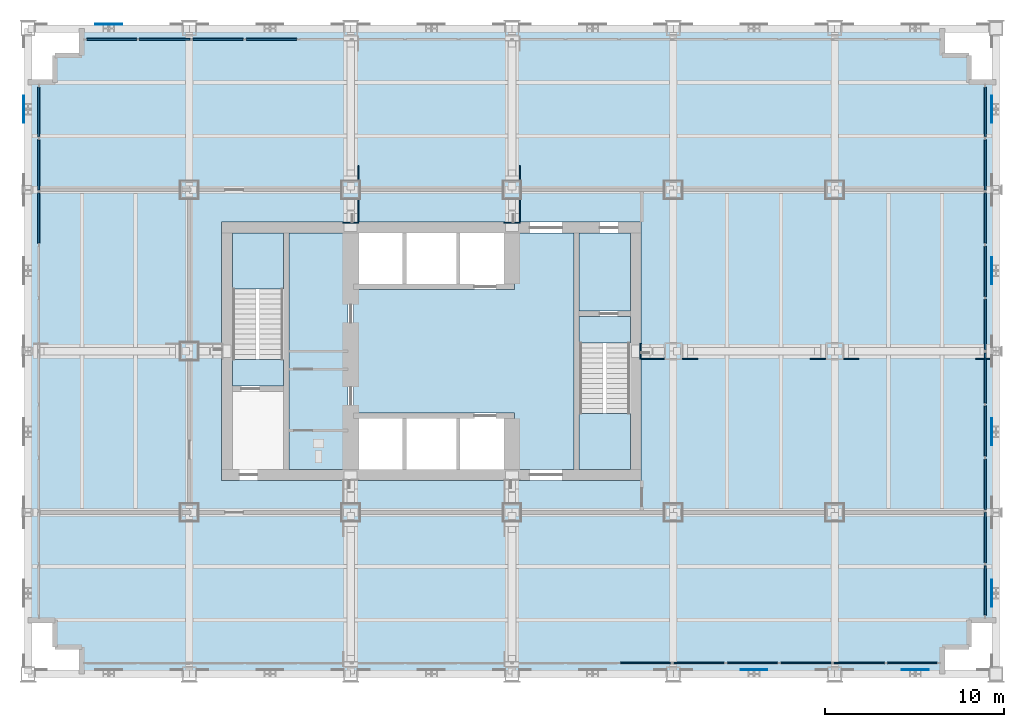
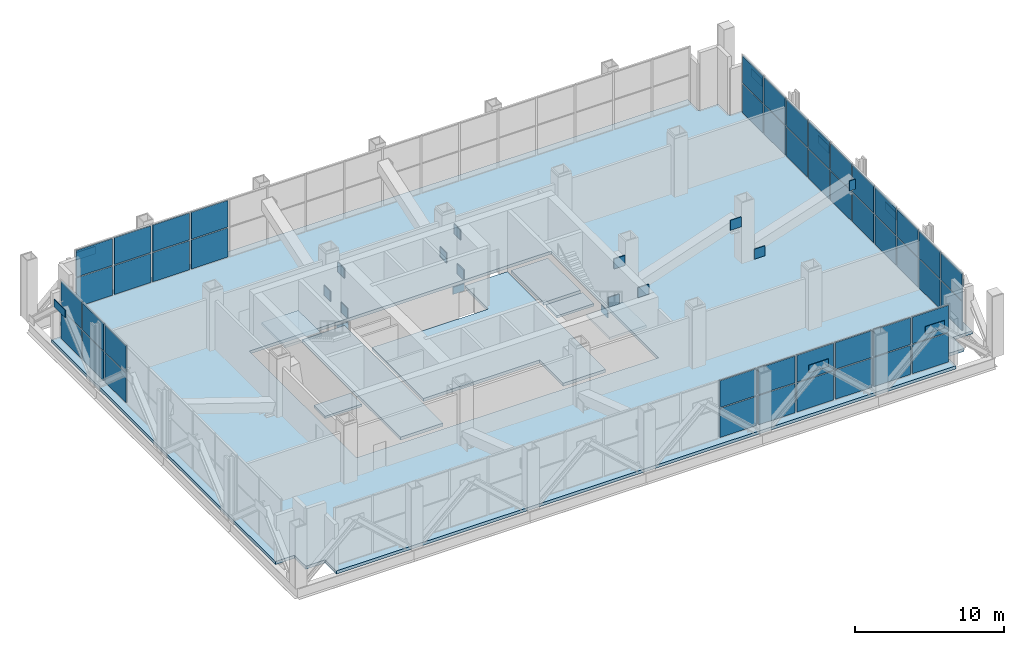
# One storey, part 11 of 19: 69 plates, 8 slabs, 6 elements without a shape of their own.
"""IFC4 building model written with IfcOpenShell, lengths in metres."""

from ifc_helpers import new_model, si_unit, direction, frame, origin, origin_2d, place, context, subcontext, project, spatial, polyline, rectangle, outline, extrude, material, layer, layer_set, type_object, element, aggregate, save


model = new_model("IFC4")

# Units and contexts
model_context = context("Model", 3, precision=1e-05, world=origin(), true_north=direction((0.0, 1.0)))
body_context = subcontext(model_context, "Body", "Model", "MODEL_VIEW")
ifc_project = project(units=[si_unit("LENGTHUNIT", "METRE"), si_unit("AREAUNIT", "SQUARE_METRE"), si_unit("VOLUMEUNIT", "CUBIC_METRE"), si_unit("PLANEANGLEUNIT", "RADIAN"), si_unit("MASSUNIT", "GRAM", prefix="KILO")], contexts=[model_context])

# Site, building, storey
site_placement = place(None, origin())
site = spatial("IfcSite", under=ifc_project, at=site_placement, CompositionType="ELEMENT")
building_placement = place(site_placement, origin())
building = spatial("IfcBuilding", under=site, at=building_placement, Name="Loomwork Tower", CompositionType="ELEMENT")
storey_placement = place(building_placement, frame((0.0, 0.0, 89.199951171875)))
storey = spatial("IfcBuildingStorey", under=building, at=storey_placement, Name="L23", CompositionType="ELEMENT", Elevation=89.199951171875)

# Slabs
ifc_material_1 = material(Name="Concrete 5000 psi (34 MPa) on composite metal deck", Category="concrete")
ifc_layer_1 = layer(ifc_material_1, 0.25)
ifc_layer_set_1 = layer_set([ifc_layer_1], Name="Floor slab 250")
slab_type_1 = type_object("IfcSlabType", Name="Floor slab 250", PredefinedType="FLOOR", material=ifc_layer_set_1)
slab_1_placement = place(storey_placement, frame((0.0, 0.0, -0.25)))
element("IfcSlab", 1, at=slab_1_placement, inside=storey, type_object=slab_type_1, Name="Floor slab L23", PredefinedType="FLOOR", context=body_context, shape_type="SweptSolid", body=[
    extrude(outline(polyline([(3.0, 1.5), (1.5, 1.5), (1.5, 3.0), (0.0, 3.0), (0.0, 33.0), (1.5, 33.0), (1.5, 34.5), (3.0, 34.5), (3.0, 36.0), (51.0, 36.0), (51.0, 34.5), (52.5, 34.5), (52.5, 33.0), (54.0, 33.0), (54.0, 3.0), (52.5, 3.0), (52.5, 1.5), (51.0, 1.5), (51.0, 0.0), (3.0, 0.0), (3.0, 1.5)]), holes=[polyline([(10.800048828125, 11.39990234375), (10.800048828125, 11.39990234375), (10.800048828125, 10.800048828125), (34.199951171875, 10.800048828125), (34.199951171875, 11.39990234375), (34.199951171875, 11.39990234375), (34.199951171875, 24.60009765625), (34.199951171875, 25.199951171875), (10.800048828125, 25.199951171875), (10.800048828125, 24.60009765625), (10.800048828125, 11.39990234375)])]), origin(), (0.0, 0.0, 1.0), 0.25),
])
slab_2_placement = place(storey_placement, frame((0.0, 0.0, -0.25)))
element("IfcSlab", 2, at=slab_2_placement, inside=storey, type_object=slab_type_1, Name="Floor slab L23", PredefinedType="FLOOR", context=body_context, shape_type="SweptSolid", body=[
    extrude(outline(polyline([(30.449951171875, 24.60009765625), (30.449951171875, 11.39990234375), (27.14990234375, 11.39990234375), (27.14990234375, 14.25), (27.14990234375, 14.550048828125), (18.14990234375, 14.550048828125), (18.14990234375, 21.449951171875), (27.14990234375, 21.449951171875), (27.14990234375, 21.75), (27.14990234375, 24.60009765625), (30.449951171875, 24.60009765625)])), origin(), (0.0, 0.0, 1.0), 0.25),
])
slab_3_placement = place(storey_placement, frame((0.0, 0.0, -0.25)))
element("IfcSlab", 3, at=slab_3_placement, inside=storey, type_object=slab_type_1, Name="Floor slab L23", PredefinedType="FLOOR", context=body_context, shape_type="SweptSolid", body=[
    extrude(outline(polyline([(14.550048828125, 11.39990234375), (14.550048828125, 24.60009765625), (17.85009765625, 24.60009765625), (17.85009765625, 11.39990234375), (14.550048828125, 11.39990234375)])), origin(), (0.0, 0.0, 1.0), 0.25),
])
slab_4_placement = place(storey_placement, frame((0.0, 0.0, -0.25)))
element("IfcSlab", 4, at=slab_4_placement, inside=storey, type_object=slab_type_1, Name="Floor slab L23", PredefinedType="FLOOR", context=body_context, shape_type="SweptSolid", body=[
    extrude(outline(polyline([(33.60009765625, 20.25), (30.75, 20.25), (30.75, 24.60009765625), (33.60009765625, 24.60009765625), (33.60009765625, 20.25)])), origin(), (0.0, 0.0, 1.0), 0.25),
])

# Curtain wall, plates
ifc_material_2 = material(Name="Aluminium louvre frame", Category="aluminium")
curtain_wall_type = type_object("IfcCurtainWallType", Name="Plant floor louvre screen", PredefinedType="NOTDEFINED", material=ifc_material_2)
curtain_wall_1_placement = place(storey_placement, origin())
curtain_wall_1 = element("IfcCurtainWall", 5, at=curtain_wall_1_placement, inside=storey, type_object=curtain_wall_type, Name="Plant floor louvre screen cw/S", PredefinedType="NOTDEFINED")
ifc_material_3 = material(Name="Aluminium louvre blade panel", Category="aluminium")
ifc_layer_2 = layer(ifc_material_3, 0.10009765625)
ifc_layer_set_2 = layer_set([ifc_layer_2], Name="Plant floor louvre screen panel")
plate_type_1 = type_object("IfcPlateType", Name="Plant floor louvre screen panel", PredefinedType="CURTAIN_PANEL", material=ifc_layer_set_2)
plate_1_placement = place(storey_placement, frame((34.453125, 0.60009765625, 0.080078125), z_axis=(0.0, 0.0, 1.0), x_axis=(1.0, 0.0, 0.0)))
plate_1 = element("IfcPlate", 6, at=plate_1_placement, type_object=plate_type_1, Name="CW4 panel 11.1", PredefinedType="CURTAIN_PANEL", context=body_context, shape_type="SweptSolid", body=[
    extrude(rectangle(XDim=2.831298828125, YDim=0.10009765625, at=origin_2d()), origin(), (0.0, 0.0, 1.0), 2.3798828125),
])
plate_2_placement = place(storey_placement, frame((34.453125, 0.60009765625, 2.5400390625), z_axis=(0.0, 0.0, 1.0), x_axis=(1.0, 0.0, 0.0)))
plate_2 = element("IfcPlate", 7, at=plate_2_placement, type_object=plate_type_1, Name="CW4 panel 11.2", PredefinedType="CURTAIN_PANEL", context=body_context, shape_type="SweptSolid", body=[
    extrude(rectangle(XDim=2.831298828125, YDim=0.10009765625, at=origin_2d()), origin(), (0.0, 0.0, 1.0), 2.179931640625),
])
plate_3_placement = place(storey_placement, frame((37.434326171875, 0.60009765625, 0.080078125), z_axis=(0.0, 0.0, 1.0), x_axis=(1.0, 0.0, 0.0)))
plate_3 = element("IfcPlate", 8, at=plate_3_placement, type_object=plate_type_1, Name="CW4 panel 12.1", PredefinedType="CURTAIN_PANEL", context=body_context, shape_type="SweptSolid", body=[
    extrude(rectangle(XDim=2.831298828125, YDim=0.10009765625, at=origin_2d()), origin(), (0.0, 0.0, 1.0), 2.3798828125),
])
plate_4_placement = place(storey_placement, frame((37.434326171875, 0.60009765625, 2.5400390625), z_axis=(0.0, 0.0, 1.0), x_axis=(1.0, 0.0, 0.0)))
plate_4 = element("IfcPlate", 9, at=plate_4_placement, type_object=plate_type_1, Name="CW4 panel 12.2", PredefinedType="CURTAIN_PANEL", context=body_context, shape_type="SweptSolid", body=[
    extrude(rectangle(XDim=2.831298828125, YDim=0.10009765625, at=origin_2d()), origin(), (0.0, 0.0, 1.0), 2.179931640625),
])
plate_5_placement = place(storey_placement, frame((40.41552734375, 0.60009765625, 0.080078125), z_axis=(0.0, 0.0, 1.0), x_axis=(1.0, 0.0, 0.0)))
plate_5 = element("IfcPlate", 10, at=plate_5_placement, type_object=plate_type_1, Name="CW4 panel 13.1", PredefinedType="CURTAIN_PANEL", context=body_context, shape_type="SweptSolid", body=[
    extrude(rectangle(XDim=2.831298828125, YDim=0.10009765625, at=origin_2d()), origin(), (0.0, 0.0, 1.0), 2.3798828125),
])
plate_6_placement = place(storey_placement, frame((40.41552734375, 0.60009765625, 2.5400390625), z_axis=(0.0, 0.0, 1.0), x_axis=(1.0, 0.0, 0.0)))
plate_6 = element("IfcPlate", 11, at=plate_6_placement, type_object=plate_type_1, Name="CW4 panel 13.2", PredefinedType="CURTAIN_PANEL", context=body_context, shape_type="SweptSolid", body=[
    extrude(rectangle(XDim=2.831298828125, YDim=0.10009765625, at=origin_2d()), origin(), (0.0, 0.0, 1.0), 2.179931640625),
])
plate_7_placement = place(storey_placement, frame((43.39697265625, 0.60009765625, 0.080078125), z_axis=(0.0, 0.0, 1.0), x_axis=(1.0, 0.0, 0.0)))
plate_7 = element("IfcPlate", 12, at=plate_7_placement, type_object=plate_type_1, Name="CW4 panel 14.1", PredefinedType="CURTAIN_PANEL", context=body_context, shape_type="SweptSolid", body=[
    extrude(rectangle(XDim=2.831298828125, YDim=0.10009765625, at=origin_2d()), origin(), (0.0, 0.0, 1.0), 2.3798828125),
])
plate_8_placement = place(storey_placement, frame((43.39697265625, 0.60009765625, 2.5400390625), z_axis=(0.0, 0.0, 1.0), x_axis=(1.0, 0.0, 0.0)))
plate_8 = element("IfcPlate", 13, at=plate_8_placement, type_object=plate_type_1, Name="CW4 panel 14.2", PredefinedType="CURTAIN_PANEL", context=body_context, shape_type="SweptSolid", body=[
    extrude(rectangle(XDim=2.831298828125, YDim=0.10009765625, at=origin_2d()), origin(), (0.0, 0.0, 1.0), 2.179931640625),
])
plate_9_placement = place(storey_placement, frame((46.378173828125, 0.60009765625, 0.080078125), z_axis=(0.0, 0.0, 1.0), x_axis=(1.0, 0.0, 0.0)))
plate_9 = element("IfcPlate", 14, at=plate_9_placement, type_object=plate_type_1, Name="CW4 panel 15.1", PredefinedType="CURTAIN_PANEL", context=body_context, shape_type="SweptSolid", body=[
    extrude(rectangle(XDim=2.831298828125, YDim=0.10009765625, at=origin_2d()), origin(), (0.0, 0.0, 1.0), 2.3798828125),
])
plate_10_placement = place(storey_placement, frame((46.378173828125, 0.60009765625, 2.5400390625), z_axis=(0.0, 0.0, 1.0), x_axis=(1.0, 0.0, 0.0)))
plate_10 = element("IfcPlate", 15, at=plate_10_placement, type_object=plate_type_1, Name="CW4 panel 15.2", PredefinedType="CURTAIN_PANEL", context=body_context, shape_type="SweptSolid", body=[
    extrude(rectangle(XDim=2.831298828125, YDim=0.10009765625, at=origin_2d()), origin(), (0.0, 0.0, 1.0), 2.179931640625),
])
plate_11_placement = place(storey_placement, frame((49.33935546875, 0.60009765625, 0.080078125), z_axis=(0.0, 0.0, 1.0), x_axis=(1.0, 0.0, 0.0)))
plate_11 = element("IfcPlate", 16, at=plate_11_placement, type_object=plate_type_1, Name="CW4 panel 16.1", PredefinedType="CURTAIN_PANEL", context=body_context, shape_type="SweptSolid", body=[
    extrude(rectangle(XDim=2.791259765625, YDim=0.10009765625, at=origin_2d()), origin(), (0.0, 0.0, 1.0), 2.3798828125),
])
plate_12_placement = place(storey_placement, frame((49.33935546875, 0.60009765625, 2.5400390625), z_axis=(0.0, 0.0, 1.0), x_axis=(1.0, 0.0, 0.0)))
plate_12 = element("IfcPlate", 17, at=plate_12_placement, type_object=plate_type_1, Name="CW4 panel 16.2", PredefinedType="CURTAIN_PANEL", context=body_context, shape_type="SweptSolid", body=[
    extrude(rectangle(XDim=2.791259765625, YDim=0.10009765625, at=origin_2d()), origin(), (0.0, 0.0, 1.0), 2.179931640625),
])
aggregate(curtain_wall_1, [plate_1, plate_2, plate_3, plate_4, plate_5, plate_6, plate_7, plate_8, plate_9, plate_10, plate_11, plate_12])

curtain_wall_2_placement = place(storey_placement, origin())
curtain_wall_2 = element("IfcCurtainWall", 18, at=curtain_wall_2_placement, inside=storey, type_object=curtain_wall_type, Name="Plant floor louvre screen cw/E", PredefinedType="NOTDEFINED")
plate_13_placement = place(storey_placement, frame((53.39990234375, 4.655029296875, 0.080078125), z_axis=(0.0, 0.0, 1.0), x_axis=(0.0, 1.0, 0.0)))
plate_13 = element("IfcPlate", 19, at=plate_13_placement, type_object=plate_type_1, Name="CW4 panel 1.1", PredefinedType="CURTAIN_PANEL", context=body_context, shape_type="SweptSolid", body=[
    extrude(rectangle(XDim=2.780029296875, YDim=0.10009765625, at=origin_2d()), origin(), (0.0, 0.0, 1.0), 2.3798828125),
])
plate_14_placement = place(storey_placement, frame((53.39990234375, 4.655029296875, 2.5400390625), z_axis=(0.0, 0.0, 1.0), x_axis=(0.0, 1.0, 0.0)))
plate_14 = element("IfcPlate", 20, at=plate_14_placement, type_object=plate_type_1, Name="CW4 panel 1.2", PredefinedType="CURTAIN_PANEL", context=body_context, shape_type="SweptSolid", body=[
    extrude(rectangle(XDim=2.780029296875, YDim=0.10009765625, at=origin_2d()), origin(), (0.0, 0.0, 1.0), 2.179931640625),
])
plate_15_placement = place(storey_placement, frame((53.39990234375, 7.60498046875, 0.080078125), z_axis=(0.0, 0.0, 1.0), x_axis=(0.0, 1.0, 0.0)))
plate_15 = element("IfcPlate", 21, at=plate_15_placement, type_object=plate_type_1, Name="CW4 panel 2.1", PredefinedType="CURTAIN_PANEL", context=body_context, shape_type="SweptSolid", body=[
    extrude(rectangle(XDim=2.820068359375, YDim=0.10009765625, at=origin_2d()), origin(), (0.0, 0.0, 1.0), 2.3798828125),
])
plate_16_placement = place(storey_placement, frame((53.39990234375, 7.60498046875, 2.5400390625), z_axis=(0.0, 0.0, 1.0), x_axis=(0.0, 1.0, 0.0)))
plate_16 = element("IfcPlate", 22, at=plate_16_placement, type_object=plate_type_1, Name="CW4 panel 2.2", PredefinedType="CURTAIN_PANEL", context=body_context, shape_type="SweptSolid", body=[
    extrude(rectangle(XDim=2.820068359375, YDim=0.10009765625, at=origin_2d()), origin(), (0.0, 0.0, 1.0), 2.179931640625),
])
plate_17_placement = place(storey_placement, frame((53.39990234375, 10.574951171875, 0.080078125), z_axis=(0.0, 0.0, 1.0), x_axis=(0.0, 1.0, 0.0)))
plate_17 = element("IfcPlate", 23, at=plate_17_placement, type_object=plate_type_1, Name="CW4 panel 3.1", PredefinedType="CURTAIN_PANEL", context=body_context, shape_type="SweptSolid", body=[
    extrude(rectangle(XDim=2.820068359375, YDim=0.10009765625, at=origin_2d()), origin(), (0.0, 0.0, 1.0), 2.3798828125),
])
plate_18_placement = place(storey_placement, frame((53.39990234375, 10.574951171875, 2.5400390625), z_axis=(0.0, 0.0, 1.0), x_axis=(0.0, 1.0, 0.0)))
plate_18 = element("IfcPlate", 24, at=plate_18_placement, type_object=plate_type_1, Name="CW4 panel 3.2", PredefinedType="CURTAIN_PANEL", context=body_context, shape_type="SweptSolid", body=[
    extrude(rectangle(XDim=2.820068359375, YDim=0.10009765625, at=origin_2d()), origin(), (0.0, 0.0, 1.0), 2.179931640625),
])
plate_19_placement = place(storey_placement, frame((53.39990234375, 13.544921875, 0.080078125), z_axis=(0.0, 0.0, 1.0), x_axis=(0.0, 1.0, 0.0)))
plate_19 = element("IfcPlate", 25, at=plate_19_placement, type_object=plate_type_1, Name="CW4 panel 4.1", PredefinedType="CURTAIN_PANEL", context=body_context, shape_type="SweptSolid", body=[
    extrude(rectangle(XDim=2.820068359375, YDim=0.10009765625, at=origin_2d()), origin(), (0.0, 0.0, 1.0), 2.3798828125),
])
plate_20_placement = place(storey_placement, frame((53.39990234375, 13.544921875, 2.5400390625), z_axis=(0.0, 0.0, 1.0), x_axis=(0.0, 1.0, 0.0)))
plate_20 = element("IfcPlate", 26, at=plate_20_placement, type_object=plate_type_1, Name="CW4 panel 4.2", PredefinedType="CURTAIN_PANEL", context=body_context, shape_type="SweptSolid", body=[
    extrude(rectangle(XDim=2.820068359375, YDim=0.10009765625, at=origin_2d()), origin(), (0.0, 0.0, 1.0), 2.179931640625),
])
plate_21_placement = place(storey_placement, frame((53.39990234375, 16.514892578125, 0.080078125), z_axis=(0.0, 0.0, 1.0), x_axis=(0.0, 1.0, 0.0)))
plate_21 = element("IfcPlate", 27, at=plate_21_placement, type_object=plate_type_1, Name="CW4 panel 5.1", PredefinedType="CURTAIN_PANEL", context=body_context, shape_type="SweptSolid", body=[
    extrude(rectangle(XDim=2.820068359375, YDim=0.10009765625, at=origin_2d()), origin(), (0.0, 0.0, 1.0), 2.3798828125),
])
plate_22_placement = place(storey_placement, frame((53.39990234375, 16.514892578125, 2.5400390625), z_axis=(0.0, 0.0, 1.0), x_axis=(0.0, 1.0, 0.0)))
plate_22 = element("IfcPlate", 28, at=plate_22_placement, type_object=plate_type_1, Name="CW4 panel 5.2", PredefinedType="CURTAIN_PANEL", context=body_context, shape_type="SweptSolid", body=[
    extrude(rectangle(XDim=2.820068359375, YDim=0.10009765625, at=origin_2d()), origin(), (0.0, 0.0, 1.0), 2.179931640625),
])
plate_23_placement = place(storey_placement, frame((53.39990234375, 19.485107421875, 0.080078125), z_axis=(0.0, 0.0, 1.0), x_axis=(0.0, 1.0, 0.0)))
plate_23 = element("IfcPlate", 29, at=plate_23_placement, type_object=plate_type_1, Name="CW4 panel 6.1", PredefinedType="CURTAIN_PANEL", context=body_context, shape_type="SweptSolid", body=[
    extrude(rectangle(XDim=2.820068359375, YDim=0.10009765625, at=origin_2d()), origin(), (0.0, 0.0, 1.0), 2.3798828125),
])
plate_24_placement = place(storey_placement, frame((53.39990234375, 19.485107421875, 2.5400390625), z_axis=(0.0, 0.0, 1.0), x_axis=(0.0, 1.0, 0.0)))
plate_24 = element("IfcPlate", 30, at=plate_24_placement, type_object=plate_type_1, Name="CW4 panel 6.2", PredefinedType="CURTAIN_PANEL", context=body_context, shape_type="SweptSolid", body=[
    extrude(rectangle(XDim=2.820068359375, YDim=0.10009765625, at=origin_2d()), origin(), (0.0, 0.0, 1.0), 2.179931640625),
])
plate_25_placement = place(storey_placement, frame((53.39990234375, 22.455078125, 0.080078125), z_axis=(0.0, 0.0, 1.0), x_axis=(0.0, 1.0, 0.0)))
plate_25 = element("IfcPlate", 31, at=plate_25_placement, type_object=plate_type_1, Name="CW4 panel 7.1", PredefinedType="CURTAIN_PANEL", context=body_context, shape_type="SweptSolid", body=[
    extrude(rectangle(XDim=2.820068359375, YDim=0.10009765625, at=origin_2d()), origin(), (0.0, 0.0, 1.0), 2.3798828125),
])
plate_26_placement = place(storey_placement, frame((53.39990234375, 22.455078125, 2.5400390625), z_axis=(0.0, 0.0, 1.0), x_axis=(0.0, 1.0, 0.0)))
plate_26 = element("IfcPlate", 32, at=plate_26_placement, type_object=plate_type_1, Name="CW4 panel 7.2", PredefinedType="CURTAIN_PANEL", context=body_context, shape_type="SweptSolid", body=[
    extrude(rectangle(XDim=2.820068359375, YDim=0.10009765625, at=origin_2d()), origin(), (0.0, 0.0, 1.0), 2.179931640625),
])
plate_27_placement = place(storey_placement, frame((53.39990234375, 25.425048828125, 0.080078125), z_axis=(0.0, 0.0, 1.0), x_axis=(0.0, 1.0, 0.0)))
plate_27 = element("IfcPlate", 33, at=plate_27_placement, type_object=plate_type_1, Name="CW4 panel 8.1", PredefinedType="CURTAIN_PANEL", context=body_context, shape_type="SweptSolid", body=[
    extrude(rectangle(XDim=2.820068359375, YDim=0.10009765625, at=origin_2d()), origin(), (0.0, 0.0, 1.0), 2.3798828125),
])
plate_28_placement = place(storey_placement, frame((53.39990234375, 25.425048828125, 2.5400390625), z_axis=(0.0, 0.0, 1.0), x_axis=(0.0, 1.0, 0.0)))
plate_28 = element("IfcPlate", 34, at=plate_28_placement, type_object=plate_type_1, Name="CW4 panel 8.2", PredefinedType="CURTAIN_PANEL", context=body_context, shape_type="SweptSolid", body=[
    extrude(rectangle(XDim=2.820068359375, YDim=0.10009765625, at=origin_2d()), origin(), (0.0, 0.0, 1.0), 2.179931640625),
])
plate_29_placement = place(storey_placement, frame((53.39990234375, 28.39501953125, 0.080078125), z_axis=(0.0, 0.0, 1.0), x_axis=(0.0, 1.0, 0.0)))
plate_29 = element("IfcPlate", 35, at=plate_29_placement, type_object=plate_type_1, Name="CW4 panel 9.1", PredefinedType="CURTAIN_PANEL", context=body_context, shape_type="SweptSolid", body=[
    extrude(rectangle(XDim=2.820068359375, YDim=0.10009765625, at=origin_2d()), origin(), (0.0, 0.0, 1.0), 2.3798828125),
])
plate_30_placement = place(storey_placement, frame((53.39990234375, 28.39501953125, 2.5400390625), z_axis=(0.0, 0.0, 1.0), x_axis=(0.0, 1.0, 0.0)))
plate_30 = element("IfcPlate", 36, at=plate_30_placement, type_object=plate_type_1, Name="CW4 panel 9.2", PredefinedType="CURTAIN_PANEL", context=body_context, shape_type="SweptSolid", body=[
    extrude(rectangle(XDim=2.820068359375, YDim=0.10009765625, at=origin_2d()), origin(), (0.0, 0.0, 1.0), 2.179931640625),
])
plate_31_placement = place(storey_placement, frame((53.39990234375, 31.344970703125, 0.080078125), z_axis=(0.0, 0.0, 1.0), x_axis=(0.0, 1.0, 0.0)))
plate_31 = element("IfcPlate", 37, at=plate_31_placement, type_object=plate_type_1, Name="CW4 panel 10.1", PredefinedType="CURTAIN_PANEL", context=body_context, shape_type="SweptSolid", body=[
    extrude(rectangle(XDim=2.780029296875, YDim=0.10009765625, at=origin_2d()), origin(), (0.0, 0.0, 1.0), 2.3798828125),
])
plate_32_placement = place(storey_placement, frame((53.39990234375, 31.344970703125, 2.5400390625), z_axis=(0.0, 0.0, 1.0), x_axis=(0.0, 1.0, 0.0)))
plate_32 = element("IfcPlate", 38, at=plate_32_placement, type_object=plate_type_1, Name="CW4 panel 10.2", PredefinedType="CURTAIN_PANEL", context=body_context, shape_type="SweptSolid", body=[
    extrude(rectangle(XDim=2.780029296875, YDim=0.10009765625, at=origin_2d()), origin(), (0.0, 0.0, 1.0), 2.179931640625),
])
aggregate(curtain_wall_2, [plate_13, plate_14, plate_15, plate_16, plate_17, plate_18, plate_19, plate_20, plate_21, plate_22, plate_23, plate_24, plate_25, plate_26, plate_27, plate_28, plate_29, plate_30, plate_31, plate_32])

curtain_wall_3_placement = place(storey_placement, origin())
curtain_wall_3 = element("IfcCurtainWall", 39, at=curtain_wall_3_placement, inside=storey, type_object=curtain_wall_type, Name="Plant floor louvre screen cw/N", PredefinedType="NOTDEFINED")
plate_33_placement = place(storey_placement, frame((13.58447265625, 35.39990234375, 0.080078125), z_axis=(0.0, 0.0, 1.0), x_axis=(-1.0, 0.0, 0.0)))
plate_33 = element("IfcPlate", 40, at=plate_33_placement, type_object=plate_type_1, Name="CW4 panel 13.1", PredefinedType="CURTAIN_PANEL", context=body_context, shape_type="SweptSolid", body=[
    extrude(rectangle(XDim=2.831298828125, YDim=0.10009765625, at=origin_2d()), origin(), (0.0, 0.0, 1.0), 2.3798828125),
])
plate_34_placement = place(storey_placement, frame((13.58447265625, 35.39990234375, 2.5400390625), z_axis=(0.0, 0.0, 1.0), x_axis=(-1.0, 0.0, 0.0)))
plate_34 = element("IfcPlate", 41, at=plate_34_placement, type_object=plate_type_1, Name="CW4 panel 13.2", PredefinedType="CURTAIN_PANEL", context=body_context, shape_type="SweptSolid", body=[
    extrude(rectangle(XDim=2.831298828125, YDim=0.10009765625, at=origin_2d()), origin(), (0.0, 0.0, 1.0), 2.179931640625),
])
plate_35_placement = place(storey_placement, frame((10.60302734375, 35.39990234375, 0.080078125), z_axis=(0.0, 0.0, 1.0), x_axis=(-1.0, 0.0, 0.0)))
plate_35 = element("IfcPlate", 42, at=plate_35_placement, type_object=plate_type_1, Name="CW4 panel 14.1", PredefinedType="CURTAIN_PANEL", context=body_context, shape_type="SweptSolid", body=[
    extrude(rectangle(XDim=2.831298828125, YDim=0.10009765625, at=origin_2d()), origin(), (0.0, 0.0, 1.0), 2.3798828125),
])
plate_36_placement = place(storey_placement, frame((10.60302734375, 35.39990234375, 2.5400390625), z_axis=(0.0, 0.0, 1.0), x_axis=(-1.0, 0.0, 0.0)))
plate_36 = element("IfcPlate", 43, at=plate_36_placement, type_object=plate_type_1, Name="CW4 panel 14.2", PredefinedType="CURTAIN_PANEL", context=body_context, shape_type="SweptSolid", body=[
    extrude(rectangle(XDim=2.831298828125, YDim=0.10009765625, at=origin_2d()), origin(), (0.0, 0.0, 1.0), 2.179931640625),
])
plate_37_placement = place(storey_placement, frame((7.621826171875, 35.39990234375, 0.080078125), z_axis=(0.0, 0.0, 1.0), x_axis=(-1.0, 0.0, 0.0)))
plate_37 = element("IfcPlate", 44, at=plate_37_placement, type_object=plate_type_1, Name="CW4 panel 15.1", PredefinedType="CURTAIN_PANEL", context=body_context, shape_type="SweptSolid", body=[
    extrude(rectangle(XDim=2.831298828125, YDim=0.10009765625, at=origin_2d()), origin(), (0.0, 0.0, 1.0), 2.3798828125),
])
plate_38_placement = place(storey_placement, frame((7.621826171875, 35.39990234375, 2.5400390625), z_axis=(0.0, 0.0, 1.0), x_axis=(-1.0, 0.0, 0.0)))
plate_38 = element("IfcPlate", 45, at=plate_38_placement, type_object=plate_type_1, Name="CW4 panel 15.2", PredefinedType="CURTAIN_PANEL", context=body_context, shape_type="SweptSolid", body=[
    extrude(rectangle(XDim=2.831298828125, YDim=0.10009765625, at=origin_2d()), origin(), (0.0, 0.0, 1.0), 2.179931640625),
])
plate_39_placement = place(storey_placement, frame((4.66064453125, 35.39990234375, 0.080078125), z_axis=(0.0, 0.0, 1.0), x_axis=(-1.0, 0.0, 0.0)))
plate_39 = element("IfcPlate", 46, at=plate_39_placement, type_object=plate_type_1, Name="CW4 panel 16.1", PredefinedType="CURTAIN_PANEL", context=body_context, shape_type="SweptSolid", body=[
    extrude(rectangle(XDim=2.791259765625, YDim=0.10009765625, at=origin_2d()), origin(), (0.0, 0.0, 1.0), 2.3798828125),
])
plate_40_placement = place(storey_placement, frame((4.66064453125, 35.39990234375, 2.5400390625), z_axis=(0.0, 0.0, 1.0), x_axis=(-1.0, 0.0, 0.0)))
plate_40 = element("IfcPlate", 47, at=plate_40_placement, type_object=plate_type_1, Name="CW4 panel 16.2", PredefinedType="CURTAIN_PANEL", context=body_context, shape_type="SweptSolid", body=[
    extrude(rectangle(XDim=2.791259765625, YDim=0.10009765625, at=origin_2d()), origin(), (0.0, 0.0, 1.0), 2.179931640625),
])
aggregate(curtain_wall_3, [plate_33, plate_34, plate_35, plate_36, plate_37, plate_38, plate_39, plate_40])

curtain_wall_4_placement = place(storey_placement, origin())
curtain_wall_4 = element("IfcCurtainWall", 48, at=curtain_wall_4_placement, inside=storey, type_object=curtain_wall_type, Name="Plant floor louvre screen cw/W", PredefinedType="NOTDEFINED")
plate_41_placement = place(storey_placement, frame((0.60009765625, 31.344970703125, 0.080078125), z_axis=(0.0, 0.0, 1.0), x_axis=(0.0, -1.0, 0.0)))
plate_41 = element("IfcPlate", 49, at=plate_41_placement, type_object=plate_type_1, Name="CW4 panel 1.1", PredefinedType="CURTAIN_PANEL", context=body_context, shape_type="SweptSolid", body=[
    extrude(rectangle(XDim=2.780029296875, YDim=0.10009765625, at=origin_2d()), origin(), (0.0, 0.0, 1.0), 2.3798828125),
])
plate_42_placement = place(storey_placement, frame((0.60009765625, 31.344970703125, 2.5400390625), z_axis=(0.0, 0.0, 1.0), x_axis=(0.0, -1.0, 0.0)))
plate_42 = element("IfcPlate", 50, at=plate_42_placement, type_object=plate_type_1, Name="CW4 panel 1.2", PredefinedType="CURTAIN_PANEL", context=body_context, shape_type="SweptSolid", body=[
    extrude(rectangle(XDim=2.780029296875, YDim=0.10009765625, at=origin_2d()), origin(), (0.0, 0.0, 1.0), 2.179931640625),
])
plate_43_placement = place(storey_placement, frame((0.60009765625, 28.39501953125, 0.080078125), z_axis=(0.0, 0.0, 1.0), x_axis=(0.0, -1.0, 0.0)))
plate_43 = element("IfcPlate", 51, at=plate_43_placement, type_object=plate_type_1, Name="CW4 panel 2.1", PredefinedType="CURTAIN_PANEL", context=body_context, shape_type="SweptSolid", body=[
    extrude(rectangle(XDim=2.820068359375, YDim=0.10009765625, at=origin_2d()), origin(), (0.0, 0.0, 1.0), 2.3798828125),
])
plate_44_placement = place(storey_placement, frame((0.60009765625, 28.39501953125, 2.5400390625), z_axis=(0.0, 0.0, 1.0), x_axis=(0.0, -1.0, 0.0)))
plate_44 = element("IfcPlate", 52, at=plate_44_placement, type_object=plate_type_1, Name="CW4 panel 2.2", PredefinedType="CURTAIN_PANEL", context=body_context, shape_type="SweptSolid", body=[
    extrude(rectangle(XDim=2.820068359375, YDim=0.10009765625, at=origin_2d()), origin(), (0.0, 0.0, 1.0), 2.179931640625),
])
plate_45_placement = place(storey_placement, frame((0.60009765625, 25.425048828125, 0.080078125), z_axis=(0.0, 0.0, 1.0), x_axis=(0.0, -1.0, 0.0)))
plate_45 = element("IfcPlate", 53, at=plate_45_placement, type_object=plate_type_1, Name="CW4 panel 3.1", PredefinedType="CURTAIN_PANEL", context=body_context, shape_type="SweptSolid", body=[
    extrude(rectangle(XDim=2.820068359375, YDim=0.10009765625, at=origin_2d()), origin(), (0.0, 0.0, 1.0), 2.3798828125),
])
plate_46_placement = place(storey_placement, frame((0.60009765625, 25.425048828125, 2.5400390625), z_axis=(0.0, 0.0, 1.0), x_axis=(0.0, -1.0, 0.0)))
plate_46 = element("IfcPlate", 54, at=plate_46_placement, type_object=plate_type_1, Name="CW4 panel 3.2", PredefinedType="CURTAIN_PANEL", context=body_context, shape_type="SweptSolid", body=[
    extrude(rectangle(XDim=2.820068359375, YDim=0.10009765625, at=origin_2d()), origin(), (0.0, 0.0, 1.0), 2.179931640625),
])
aggregate(curtain_wall_4, [plate_41, plate_42, plate_43, plate_44, plate_45, plate_46])

# Stair, slabs
ifc_material_4 = material(Name="Concrete 5000 psi (34 MPa) precast stair", Category="concrete")
stair_type_1 = type_object("IfcStairType", Name="Stair ST-A 30 risers 2850 wide", PredefinedType="HALF_TURN_STAIR", material=ifc_material_4)
stair_1_placement = place(storey_placement, origin())
stair_1 = element("IfcStair", 55, at=stair_1_placement, inside=storey, type_object=stair_type_1, Name="Stair A L23", PredefinedType="HALF_TURN_STAIR")
ifc_material_5 = material(Name="Concrete 5000 psi (34 MPa)", Category="concrete")
ifc_layer_3 = layer(ifc_material_5, 0.199951171875)
ifc_layer_set_3 = layer_set([ifc_layer_3], Name="Stair landing 200")
slab_type_2 = type_object("IfcSlabType", Name="Stair landing 200", PredefinedType="LANDING", material=ifc_layer_set_3)
slab_5_placement = place(storey_placement, frame((0.0, 0.0, -0.199951171875)))
slab_5 = element("IfcSlab", 56, at=slab_5_placement, type_object=slab_type_2, Name="ST-A landing 1", PredefinedType="LANDING", context=body_context, shape_type="SweptSolid", body=[
    extrude(outline(polyline([(11.39990234375, 16.050048828125), (14.25, 16.050048828125), (14.25, 17.550048828125), (11.39990234375, 17.550048828125), (11.39990234375, 16.050048828125)])), origin(), (0.0, 0.0, 1.0), 0.199951171875),
])
slab_6_placement = place(storey_placement, frame((0.0, 0.0, 2.300048828125)))
slab_6 = element("IfcSlab", 57, at=slab_6_placement, type_object=slab_type_2, Name="ST-A landing 2", PredefinedType="LANDING", context=body_context, shape_type="SweptSolid", body=[
    extrude(outline(polyline([(11.39990234375, 21.469970703125), (14.25, 21.469970703125), (14.25, 24.60009765625), (11.39990234375, 24.60009765625), (11.39990234375, 21.469970703125)])), origin(), (0.0, 0.0, 1.0), 0.199951171875),
])
aggregate(stair_1, [slab_5, slab_6])

ifc_material_6 = material(Name="Concrete 5000 psi (34 MPa) precast stair", Category="concrete")
stair_type_2 = type_object("IfcStairType", Name="Stair ST-B 30 risers 2850 wide", PredefinedType="HALF_TURN_STAIR", material=ifc_material_6)
stair_2_placement = place(storey_placement, origin())
stair_2 = element("IfcStair", 58, at=stair_2_placement, inside=storey, type_object=stair_type_2, Name="Stair B L23", PredefinedType="HALF_TURN_STAIR")
slab_7_placement = place(storey_placement, frame((0.0, 0.0, -0.199951171875)))
slab_7 = element("IfcSlab", 59, at=slab_7_placement, type_object=slab_type_2, Name="ST-B landing 1", PredefinedType="LANDING", context=body_context, shape_type="SweptSolid", body=[
    extrude(outline(polyline([(30.75, 18.449951171875), (33.60009765625, 18.449951171875), (33.60009765625, 19.949951171875), (30.75, 19.949951171875), (30.75, 18.449951171875)])), origin(), (0.0, 0.0, 1.0), 0.199951171875),
])
slab_8_placement = place(storey_placement, frame((0.0, 0.0, 2.300048828125)))
slab_8 = element("IfcSlab", 60, at=slab_8_placement, type_object=slab_type_2, Name="ST-B landing 2", PredefinedType="LANDING", context=body_context, shape_type="SweptSolid", body=[
    extrude(outline(polyline([(30.75, 11.39990234375), (33.60009765625, 11.39990234375), (33.60009765625, 14.530029296875), (30.75, 14.530029296875), (30.75, 11.39990234375)])), origin(), (0.0, 0.0, 1.0), 0.199951171875),
])
aggregate(stair_2, [slab_7, slab_8])

# Plates
ifc_material_7 = material(Name="Steel ASTM A572 Grade 50 plate", Category="steel")
ifc_layer_4 = layer(ifc_material_7, 0.06005859375)
ifc_layer_set_4 = layer_set([ifc_layer_4], Name="OUTRIGGER CAST-IN CORE PLATE 60")
plate_type_2 = type_object("IfcPlateType", Name="OUTRIGGER CAST-IN CORE PLATE 60", PredefinedType="SHEET", material=ifc_layer_set_4)
for number, where, z_axis, x_axis, name in (
    (61, (34.169921875, 18.0, -0.8447265625), (0.0, 0.0, 1.0), (0.0, 1.0, 0.0), "Outrigger cast-in core plate 36,18-33.9,18 L23"),
    (62, (27.0, 25.169921875, -0.8447265625), (0.0, 0.0, 1.0), (1.0, 0.0, 0.0), "Outrigger cast-in core plate 27,27-27,24.9 L23"),
    (63, (18.0, 25.169921875, -0.8447265625), (0.0, 0.0, 1.0), (1.0, 0.0, 0.0), "Outrigger cast-in core plate 18,27-18,24.9 L23"),
):
    element("IfcPlate", number, at=place(storey_placement, frame(where, z_axis=z_axis, x_axis=x_axis)), inside=storey, type_object=plate_type_2, Name=name, PredefinedType="SHEET", context=body_context, shape_type="SweptSolid", body=[
        extrude(rectangle(XDim=0.89990234375, YDim=0.06005859375, at=origin_2d()), origin(), (0.0, 0.0, 1.0), 0.590087890625),
    ])
ifc_material_8 = material(Name="Steel ASTM A572 Grade 50 plate", Category="steel")
ifc_layer_5 = layer(ifc_material_8, 0.050048828125)
ifc_layer_set_5 = layer_set([ifc_layer_5], Name="BELT TRUSS APEX GUSSET PLATE 50")
plate_type_3 = type_object("IfcPlateType", Name="BELT TRUSS APEX GUSSET PLATE 50", PredefinedType="SHEET", material=ifc_layer_set_5)
for number, where, z_axis, x_axis, name in (
    (64, (40.5, 0.238037109375, 3.23046875), (0.0, 0.0, 1.0), (1.0, 0.0, 0.0), "Belt truss chevron apex gusset plate D/6-D/7 L23"),
    (65, (49.5, 0.238037109375, 3.23046875), (0.0, 0.0, 1.0), (1.0, 0.0, 0.0), "Belt truss chevron apex gusset plate D/7-D/8 L23"),
    (66, (53.761962890625, 4.5, 3.23046875), (0.0, 0.0, 1.0), (0.0, 1.0, 0.0), "Belt truss chevron apex gusset plate D/8-E/8 L23"),
    (67, (53.761962890625, 13.5, 3.23046875), (0.0, 0.0, 1.0), (0.0, 1.0, 0.0), "Belt truss chevron apex gusset plate E/8-F/8 L23"),
    (68, (53.761962890625, 22.5, 3.23046875), (0.0, 0.0, 1.0), (0.0, 1.0, 0.0), "Belt truss chevron apex gusset plate F/8-G/8 L23"),
    (69, (-0.238037109375, 31.5, 3.23046875), (0.0, 0.0, 1.0), (0.0, 1.0, 0.0), "Belt truss chevron apex gusset plate G/2-H/2 L23"),
    (70, (53.761962890625, 31.5, 3.23046875), (0.0, 0.0, 1.0), (0.0, 1.0, 0.0), "Belt truss chevron apex gusset plate G/8-H/8 L23"),
    (71, (4.5, 36.238037109375, 3.23046875), (0.0, 0.0, 1.0), (1.0, 0.0, 0.0), "Belt truss chevron apex gusset plate H/2-H/3 L23"),
):
    element("IfcPlate", number, at=place(storey_placement, frame(where, z_axis=z_axis, x_axis=x_axis)), inside=storey, type_object=plate_type_3, Name=name, PredefinedType="SHEET", context=body_context, shape_type="SweptSolid", body=[
        extrude(rectangle(XDim=1.5, YDim=0.050048828125, at=origin_2d()), origin(), (0.0, 0.0, 1.0), 0.6201171875),
    ])
ifc_material_9 = material(Name="Steel ASTM A572 Grade 50 plate", Category="steel")
ifc_layer_6 = layer(ifc_material_9, 0.06005859375)
ifc_layer_set_6 = layer_set([ifc_layer_6], Name="OUTRIGGER GUSSET PLATE 60")
plate_type_4 = type_object("IfcPlateType", Name="OUTRIGGER GUSSET PLATE 60", PredefinedType="SHEET", material=ifc_layer_set_6)
for number, where, z_axis, x_axis, name in (
    (72, (53.296630859375, 17.569091796875, 3.0224609375), (0.0, 0.0, 1.0), (1.0, 0.0, 0.0), "Outrigger top gusset plate F/8/0 L23"),
    (73, (45.928955078125, 17.569091796875, 0.01025390625), (0.0, 0.0, 1.0), (1.0, 0.0, 0.0), "Outrigger bot gusset plate F/8/0 L23"),
    (74, (44.071044921875, 17.569091796875, 3.0224609375), (0.0, 0.0, 1.0), (1.0, 0.0, 0.0), "Outrigger top gusset plate F/7/1 L23"),
    (75, (36.928955078125, 17.569091796875, 0.01025390625), (0.0, 0.0, 1.0), (1.0, 0.0, 0.0), "Outrigger bot gusset plate F/7/1 L23"),
    (76, (35.071044921875, 17.569091796875, 3.0224609375), (0.0, 0.0, 1.0), (1.0, 0.0, 0.0), "Outrigger top gusset plate F/6/2 L23"),
    (77, (34.62890625, 17.569091796875, 0.01025390625), (0.0, 0.0, 1.0), (1.0, 0.0, 0.0), "Outrigger bot gusset plate F/6/2 L23"),
    (78, (18.430908203125, 27.928955078125, 0.01025390625), (0.0, 0.0, 1.0), (0.0, 1.0, 0.0), "Outrigger bot gusset plate H/4/0 L23"),
    (79, (18.430908203125, 26.071044921875, 3.0224609375), (0.0, 0.0, 1.0), (0.0, 1.0, 0.0), "Outrigger top gusset plate G/4/1 L23"),
    (80, (18.430908203125, 25.62890625, 0.01025390625), (0.0, 0.0, 1.0), (0.0, 1.0, 0.0), "Outrigger bot gusset plate G/4/1 L23"),
    (81, (27.430908203125, 27.928955078125, 0.01025390625), (0.0, 0.0, 1.0), (0.0, 1.0, 0.0), "Outrigger bot gusset plate H/5/0 L23"),
    (82, (27.430908203125, 26.071044921875, 3.0224609375), (0.0, 0.0, 1.0), (0.0, 1.0, 0.0), "Outrigger top gusset plate G/5/1 L23"),
    (83, (27.430908203125, 25.62890625, 0.01025390625), (0.0, 0.0, 1.0), (0.0, 1.0, 0.0), "Outrigger bot gusset plate G/5/1 L23"),
):
    element("IfcPlate", number, at=place(storey_placement, frame(where, z_axis=z_axis, x_axis=x_axis)), inside=storey, type_object=plate_type_4, Name=name, PredefinedType="SHEET", context=body_context, shape_type="SweptSolid", body=[
        extrude(rectangle(XDim=0.85009765625, YDim=0.06005859375, at=origin_2d()), origin(), (0.0, 0.0, 1.0), 0.820068359375),
    ])

save(model, "model.ifc")
